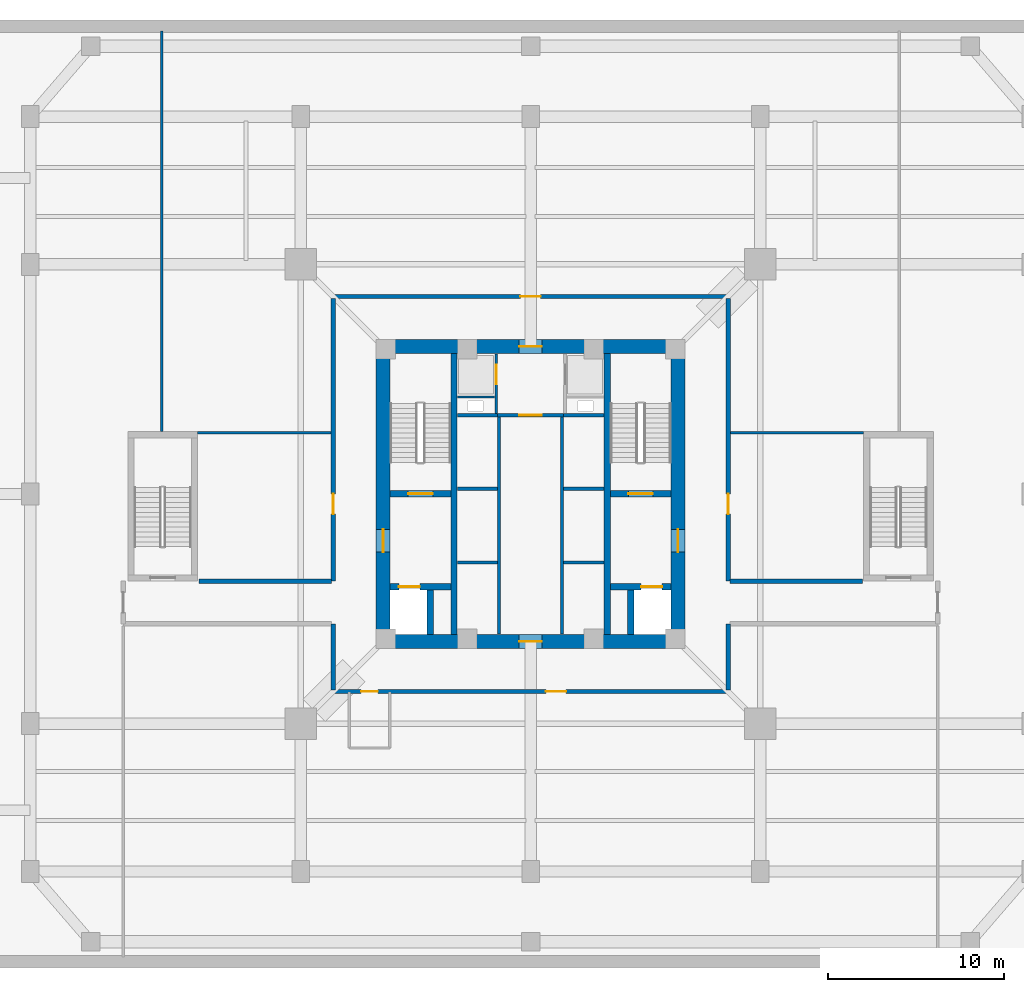
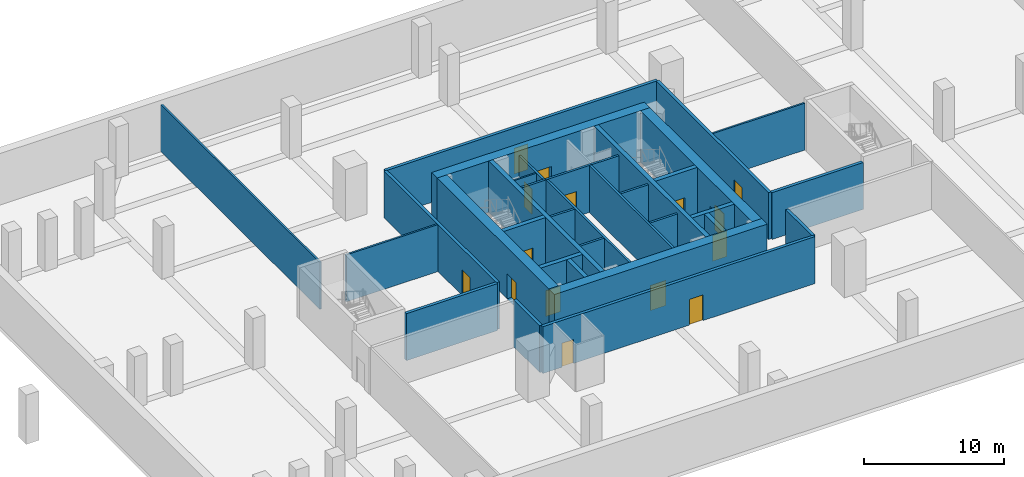
# One storey, part 3 of 9: 34 walls, 15 doors, 15 openings.
"""IFC4 building model written with IfcOpenShell, lengths in metres."""

from ifc_helpers import new_model, si_unit, direction, frame, frame_2d, origin, place, context, subcontext, project, spatial, rectangle, extrude, source, transform, mapped, material, layer, layer_set, type_object, element, fill, save


model = new_model("IFC4")

# Units and contexts
model_context = context("Model", 3, precision=1e-05, world=origin(), true_north=direction((0.0, 1.0)))
body_context = subcontext(model_context, "Body", "Model", "MODEL_VIEW")
ifc_project = project(units=[si_unit("LENGTHUNIT", "METRE"), si_unit("AREAUNIT", "SQUARE_METRE"), si_unit("VOLUMEUNIT", "CUBIC_METRE"), si_unit("PLANEANGLEUNIT", "RADIAN"), si_unit("MASSUNIT", "GRAM", prefix="KILO"), si_unit("THERMODYNAMICTEMPERATUREUNIT", "KELVIN")], contexts=[model_context])

# Site, building, storey
site_placement = place(None, origin())
site = spatial("IfcSite", under=ifc_project, at=site_placement, CompositionType="ELEMENT")
building_placement = place(site_placement, origin())
building = spatial("IfcBuilding", under=site, at=building_placement, Name="Kosmvard Interchange Tower", CompositionType="ELEMENT")
storey_placement = place(building_placement, frame((0.0, 0.0, -4.5)))
storey = spatial("IfcBuildingStorey", under=building, at=storey_placement, Name="B01", CompositionType="ELEMENT", Elevation=-4.5)

# Walls
ifc_material_1 = material(Name="Acoustic gypsum partition system")
ifc_layer_1 = layer(ifc_material_1, 0.14990234375, Name="Acoustic gypsum partition system")
ifc_layer_set_1 = layer_set([ifc_layer_1], Name="Acoustic gypsum partition system")
wall_type_1 = type_object("IfcWallType", Name="Acoustic Suite & Meeting Partition 150", PredefinedType="PARTITIONING", material=ifc_layer_set_1)
wall_1_placement = place(storey_placement, frame((-21.0, 3.56005859375, 0.0), z_axis=(0.0, 0.0, 1.0), x_axis=(0.0, 1.0, 0.0)))
element("IfcWall", 1, at=wall_1_placement, inside=storey, type_object=wall_type_1, Name="B01 Room Partition 02.1", PredefinedType="PARTITIONING", context=body_context, shape_type="SweptSolid", body=[
    extrude(rectangle(XDim=22.804931640625, YDim=0.14990234375, at=frame_2d((11.40234375, 0.0))), origin(), (0.0, 0.0, 1.0), 4.10009765625),
])
for number, where, z_axis, x_axis, name in (
    (2, (-18.9599609375, 3.5, 0.0), (0.0, 0.0, 1.0), (1.0, 0.0, 0.0), "B01 Room Partition 05.1"),
    (3, (11.3798828125, 3.5, 0.0), (0.0, 0.0, 1.0), (1.0, 0.0, 0.0), "B01 Room Partition 06.1"),
):
    element("IfcWall", number, at=place(storey_placement, frame(where, z_axis=z_axis, x_axis=x_axis)), inside=storey, type_object=wall_type_1, Name=name, PredefinedType="PARTITIONING", context=body_context, shape_type="SweptSolid", body=[
        extrude(rectangle(XDim=7.580078125, YDim=0.14990234375, at=frame_2d((3.7900390625, 0.0))), origin(), (0.0, 0.0, 1.0), 4.10009765625),
    ])

# Wall, opening, door
ifc_material_2 = material(Name="Fire-rated gypsum partition system")
ifc_layer_2 = layer(ifc_material_2, 0.159912109375, Name="Fire-rated gypsum partition system")
ifc_layer_set_2 = layer_set([ifc_layer_2], Name="Fire-rated gypsum partition system")
wall_type_2 = type_object("IfcWallType", Name="Core Compartment & Shuttle Lobby Partition 160", PredefinedType="PARTITIONING", material=ifc_layer_set_2)
wall_2_placement = place(storey_placement, frame((-1.9599609375, 4.580078125, 0.0), z_axis=(0.0, 0.0, 1.0), x_axis=(0.0, 1.0, 0.0)))
wall_2 = element("IfcWall", 4, at=wall_2_placement, inside=storey, type_object=wall_type_2, Name="B01 North Core West Wall", PredefinedType="PARTITIONING", context=body_context, shape_type="SweptSolid", body=[
    extrude(rectangle(XDim=3.39990234375, YDim=0.159912109375, at=frame_2d((1.699951171875, 0.0))), origin(), (0.0, 0.0, 1.0), 4.10009765625),
])
opening_1_placement = place(wall_2_placement, frame((1.669921875, 0.0, 0.0)))
opening_1 = element("IfcOpeningElement", 5, at=opening_1_placement, cuts=wall_2, Name="Opening LD-OBS1-B01", PredefinedType="OPENING", context=body_context, shape_type="SweptSolid", body=[
    extrude(rectangle(XDim=1.10009765625, YDim=2.199951171875, at=frame_2d((0.550048828125, 1.10009765625))), frame((0.0, 0.08984375, 0.0), z_axis=(0.0, -1.0, 0.0), x_axis=(1.0, 0.0, 0.0)), (0.0, 0.0, 1.0), 0.179931640625),
])
ifc_material_3 = material(Name="Brushed stainless steel sliding leaf", Category="steel")
door_type_1 = type_object("IfcDoorType", Name="Passenger Lift Sliding Landing Door 1100x2200 EI60", OperationType="DOUBLE_DOOR_SLIDING", PredefinedType="DOOR", material=ifc_material_3)
shared_shape_1 = source(origin(), body_context, "Body", "SweptSolid", [
    extrude(rectangle(XDim=1.10009765625, YDim=2.199951171875, at=frame_2d((0.550048828125, 1.10009765625))), frame((0.0, 0.02490234375, 0.0), z_axis=(0.0, -1.0, 0.0), x_axis=(1.0, 0.0, 0.0)), (0.0, 0.0, 1.0), 0.050048828125),
])
door_1_placement = place(opening_1_placement, frame((1.10009765625, 0.0, 0.0), z_axis=(0.0, 0.0, 1.0), x_axis=(-1.0, 0.0, 0.0)))
door_1 = element("IfcDoor", 6, at=door_1_placement, inside=storey, type_object=door_type_1, Name="Lift OBS-1 Landing Door B01", OperationType="DOUBLE_DOOR_SLIDING", OverallHeight=2.199951171875, OverallWidth=1.10009765625, PredefinedType="DOOR", context=body_context, shape_type="MappedRepresentation", body=[
    mapped(shared_shape_1, transform((0.0, 0.0, 0.0), scale=1.0)),
])
fill(opening_1, door_1)

# Walls
ifc_layer_3 = layer(ifc_material_2, 0.179931640625, Name="Fire-rated gypsum partition system")
ifc_layer_set_3 = layer_set([ifc_layer_3], Name="Fire-rated gypsum partition system")
wall_type_3 = type_object("IfcWallType", Name="Corridor & Hotel Compartment Partition 180", PredefinedType="PARTITIONING", material=ifc_layer_set_3)
for number, where, z_axis, x_axis, name in (
    (7, (-1.7900390625, -7.97998046875, 0.0), (0.0, 0.0, 1.0), (0.0, 1.0, 0.0), "B01 West Lift Bank Front Wall"),
    (8, (1.7900390625, -7.97998046875, 0.0), (0.0, 0.0, 1.0), (0.0, 1.0, 0.0), "B01 East Lift Bank Front Wall"),
):
    element("IfcWall", number, at=place(storey_placement, frame(where, z_axis=z_axis, x_axis=x_axis)), inside=storey, type_object=wall_type_3, Name=name, PredefinedType="PARTITIONING", context=body_context, shape_type="SweptSolid", body=[
        extrude(rectangle(XDim=12.3798828125, YDim=0.179931640625, at=frame_2d((6.18994140625, 0.0))), origin(), (0.0, 0.0, 1.0), 4.10009765625),
    ])

# Wall, opening, door
wall_3_placement = place(storey_placement, frame((-1.8798828125, 4.489990234375, 0.0), z_axis=(0.0, 0.0, 1.0), x_axis=(1.0, 0.0, 0.0)))
wall_3 = element("IfcWall", 9, at=wall_3_placement, inside=storey, type_object=wall_type_3, Name="B01 Lift Lobby North Partition", PredefinedType="PARTITIONING", context=body_context, shape_type="SweptSolid", body=[
    extrude(rectangle(XDim=3.759765625, YDim=0.179931640625, at=frame_2d((1.8798828125, 0.0))), origin(), (0.0, 0.0, 1.0), 4.10009765625),
])
opening_2_placement = place(wall_3_placement, frame((1.22998046875, 0.0, 0.0)))
opening_2 = element("IfcOpeningElement", 10, at=opening_2_placement, cuts=wall_3, Name="Opening B01-OD1", PredefinedType="OPENING", context=body_context, shape_type="SweptSolid", body=[
    extrude(rectangle(XDim=1.300048828125, YDim=2.199951171875, at=frame_2d((0.64990234375, 1.10009765625))), frame((0.0, 0.10009765625, 0.0), z_axis=(0.0, -1.0, 0.0), x_axis=(1.0, 0.0, 0.0)), (0.0, 0.0, 1.0), 0.199951171875),
])
ifc_material_4 = material(Name="Painted fire-rated steel leaf", Category="steel")
door_type_2 = type_object("IfcDoorType", Name="Firefighting Lobby Door 1300x2200 EI60", OperationType="NOTDEFINED", PredefinedType="DOOR", material=ifc_material_4)
shared_shape_2 = source(origin(), body_context, "Body", "SweptSolid", [
    extrude(rectangle(XDim=1.300048828125, YDim=2.199951171875, at=frame_2d((0.64990234375, 1.10009765625))), frame((0.0, 0.02490234375, 0.0), z_axis=(0.0, -1.0, 0.0), x_axis=(1.0, 0.0, 0.0)), (0.0, 0.0, 1.0), 0.050048828125),
])
door_2_placement = place(opening_2_placement, origin())
door_2 = element("IfcDoor", 11, at=door_2_placement, inside=storey, type_object=door_type_2, Name="B01 Shuttle Lobby South Door", OperationType="SINGLE_SWING_LEFT", OverallHeight=2.199951171875, OverallWidth=1.300048828125, PredefinedType="DOOR", context=body_context, shape_type="MappedRepresentation", body=[
    mapped(shared_shape_2, transform((0.0, 0.0, 0.0), scale=1.0)),
])
fill(opening_2, door_2)

# Wall, openings, doors
ifc_material_5 = material(Name="Concrete blockwork masonry", Category="masonry")
ifc_layer_4 = layer(ifc_material_5, 0.25, Name="Concrete blockwork masonry")
ifc_layer_set_4 = layer_set([ifc_layer_4], Name="Concrete blockwork masonry")
wall_type_4 = type_object("IfcWallType", Name="Exit Passage & Firefighting Lobby Wall 250", PredefinedType="PARTITIONING", material=ifc_layer_set_4)
wall_4_placement = place(storey_placement, frame((-11.25, -11.25, 0.0), z_axis=(0.0, 0.0, 1.0), x_axis=(1.0, 0.0, 0.0)))
wall_4 = element("IfcWall", 12, at=wall_4_placement, inside=storey, type_object=wall_type_4, Name="B01 Corridor Wall CS", PredefinedType="PARTITIONING", context=body_context, shape_type="SweptSolid", body=[
    extrude(rectangle(XDim=22.5, YDim=0.25, at=frame_2d((11.25, 0.0))), origin(), (0.0, 0.0, 1.0), 4.10009765625),
])
opening_3_placement = place(wall_4_placement, frame((1.60498046875, 0.0, 0.0)))
opening_3 = element("IfcOpeningElement", 13, at=opening_3_placement, cuts=wall_4, Name="Opening B01-D01", PredefinedType="OPENING", context=body_context, shape_type="SweptSolid", body=[
    extrude(rectangle(XDim=0.949951171875, YDim=2.10009765625, at=frame_2d((0.47509765625, 1.050048828125))), frame((0.0, 0.135009765625, 0.0), z_axis=(0.0, -1.0, 0.0), x_axis=(1.0, 0.0, 0.0)), (0.0, 0.0, 1.0), 0.27001953125),
])
opening_4_placement = place(wall_4_placement, frame((12.11962890625, 0.0, 0.0)))
opening_4 = element("IfcOpeningElement", 14, at=opening_4_placement, cuts=wall_4, Name="Opening B01-D02", PredefinedType="OPENING", context=body_context, shape_type="SweptSolid", body=[
    extrude(rectangle(XDim=1.14990234375, YDim=2.25, at=frame_2d((0.574951171875, 1.125))), frame((0.0, 0.135009765625, 0.0), z_axis=(0.0, -1.0, 0.0), x_axis=(1.0, 0.0, 0.0)), (0.0, 0.0, 1.0), 0.27001953125),
])
door_type_3 = type_object("IfcDoorType", Name="Plant & Riser Fire Door 1150x2250 EI60", OperationType="NOTDEFINED", PredefinedType="DOOR", material=ifc_material_4)
shared_shape_3 = source(origin(), body_context, "Body", "SweptSolid", [
    extrude(rectangle(XDim=1.14990234375, YDim=2.25, at=frame_2d((0.574951171875, 1.125))), frame((0.0, 0.02490234375, 0.0), z_axis=(0.0, -1.0, 0.0), x_axis=(1.0, 0.0, 0.0)), (0.0, 0.0, 1.0), 0.050048828125),
])
door_3_placement = place(opening_4_placement, frame((1.14990234375, 0.0, 0.0), z_axis=(0.0, 0.0, 1.0), x_axis=(-1.0, 0.0, 0.0)))
door_3 = element("IfcDoor", 15, at=door_3_placement, inside=storey, type_object=door_type_3, Name="B01 Paid Rail Mezzanine Hall Door", OperationType="SINGLE_SWING_RIGHT", OverallHeight=2.25, OverallWidth=1.14990234375, PredefinedType="DOOR", context=body_context, shape_type="MappedRepresentation", body=[
    mapped(shared_shape_3, transform((0.0, 0.0, 0.0), scale=1.0)),
])
fill(opening_4, door_3)
ifc_material_6 = material(Name="Laminated moisture-resistant timber", Category="wood")
door_type_4 = type_object("IfcDoorType", Name="Accessible Washroom Door 950x2100", OperationType="NOTDEFINED", PredefinedType="DOOR", material=ifc_material_6)
shared_shape_4 = source(origin(), body_context, "Body", "SweptSolid", [
    extrude(rectangle(XDim=0.949951171875, YDim=2.10009765625, at=frame_2d((0.47509765625, 1.050048828125))), frame((0.0, 0.02490234375, 0.0), z_axis=(0.0, -1.0, 0.0), x_axis=(1.0, 0.0, 0.0)), (0.0, 0.0, 1.0), 0.050048828125),
])
door_4_placement = place(opening_3_placement, frame((0.949951171875, 0.0, 0.0), z_axis=(0.0, 0.0, 1.0), x_axis=(-1.0, 0.0, 0.0)))
door_4 = element("IfcDoor", 16, at=door_4_placement, inside=storey, type_object=door_type_4, Name="B01 Accessible Staff Toilet Door", OperationType="SINGLE_SWING_LEFT", OverallHeight=2.10009765625, OverallWidth=0.949951171875, PredefinedType="DOOR", context=body_context, shape_type="MappedRepresentation", body=[
    mapped(shared_shape_4, transform((0.0, 0.0, 0.0), scale=1.0)),
])
fill(opening_3, door_4)

# Wall, opening, door
wall_5_placement = place(storey_placement, frame((-11.25, 11.25, 0.0), z_axis=(0.0, 0.0, 1.0), x_axis=(1.0, 0.0, 0.0)))
wall_5 = element("IfcWall", 17, at=wall_5_placement, inside=storey, type_object=wall_type_4, Name="B01 Corridor Wall CN", PredefinedType="PARTITIONING", context=body_context, shape_type="SweptSolid", body=[
    extrude(rectangle(XDim=22.5, YDim=0.25, at=frame_2d((11.25, 0.0))), origin(), (0.0, 0.0, 1.0), 4.10009765625),
])
opening_5_placement = place(wall_5_placement, frame((10.675048828125, 0.0, 0.0)))
opening_5 = element("IfcOpeningElement", 18, at=opening_5_placement, cuts=wall_5, Name="Opening B01-D03", PredefinedType="OPENING", context=body_context, shape_type="SweptSolid", body=[
    extrude(rectangle(XDim=1.14990234375, YDim=2.25, at=frame_2d((0.574951171875, 1.125))), frame((0.0, 0.135009765625, 0.0), z_axis=(0.0, -1.0, 0.0), x_axis=(1.0, 0.0, 0.0)), (0.0, 0.0, 1.0), 0.27001953125),
])
door_5_placement = place(opening_5_placement, origin())
door_5 = element("IfcDoor", 19, at=door_5_placement, inside=storey, type_object=door_type_3, Name="B01 Standby Power Hall Door", OperationType="SINGLE_SWING_LEFT", OverallHeight=2.25, OverallWidth=1.14990234375, PredefinedType="DOOR", context=body_context, shape_type="MappedRepresentation", body=[
    mapped(shared_shape_3, transform((0.0, 0.0, 0.0), scale=1.0)),
])
fill(opening_5, door_5)

# Wall
wall_6_placement = place(storey_placement, frame((-11.25, -11.14990234375, 0.0), z_axis=(0.0, 0.0, 1.0), x_axis=(0.0, 1.0, 0.0)))
element("IfcWall", 20, at=wall_6_placement, inside=storey, type_object=wall_type_4, Name="B01 Corridor Wall CWS", PredefinedType="PARTITIONING", context=body_context, shape_type="SweptSolid", body=[
    extrude(rectangle(XDim=3.75, YDim=0.25, at=frame_2d((1.875, 0.0))), origin(), (0.0, 0.0, 1.0), 4.10009765625),
])

# Wall, opening, door
wall_7_placement = place(storey_placement, frame((-11.25, -4.9599609375, 0.0), z_axis=(0.0, 0.0, 1.0), x_axis=(0.0, 1.0, 0.0)))
wall_7 = element("IfcWall", 21, at=wall_7_placement, inside=storey, type_object=wall_type_4, Name="B01 Corridor Wall CWN", PredefinedType="PARTITIONING", context=body_context, shape_type="SweptSolid", body=[
    extrude(rectangle(XDim=16.10986328125, YDim=0.25, at=frame_2d((8.054931640625, 0.0))), origin(), (0.0, 0.0, 1.0), 4.10009765625),
])
opening_6_placement = place(wall_7_placement, frame((3.819580078125, 0.0, 0.0)))
opening_6 = element("IfcOpeningElement", 22, at=opening_6_placement, cuts=wall_7, Name="Opening B01-D06", PredefinedType="OPENING", context=body_context, shape_type="SweptSolid", body=[
    extrude(rectangle(XDim=1.14990234375, YDim=2.25, at=frame_2d((0.574951171875, 1.125))), frame((0.0, 0.135009765625, 0.0), z_axis=(0.0, -1.0, 0.0), x_axis=(1.0, 0.0, 0.0)), (0.0, 0.0, 1.0), 0.27001953125),
])
door_6_placement = place(opening_6_placement, origin())
door_6 = element("IfcDoor", 23, at=door_6_placement, inside=storey, type_object=door_type_3, Name="B01 Primary Air Handling Plant Room Door", OperationType="SINGLE_SWING_RIGHT", OverallHeight=2.25, OverallWidth=1.14990234375, PredefinedType="DOOR", context=body_context, shape_type="MappedRepresentation", body=[
    mapped(shared_shape_3, transform((0.0, 0.0, 0.0), scale=1.0)),
])
fill(opening_6, door_6)

# Wall
wall_8_placement = place(storey_placement, frame((11.25, -11.14990234375, 0.0), z_axis=(0.0, 0.0, 1.0), x_axis=(0.0, 1.0, 0.0)))
element("IfcWall", 24, at=wall_8_placement, inside=storey, type_object=wall_type_4, Name="B01 Corridor Wall CES", PredefinedType="PARTITIONING", context=body_context, shape_type="SweptSolid", body=[
    extrude(rectangle(XDim=3.75, YDim=0.25, at=frame_2d((1.875, 0.0))), origin(), (0.0, 0.0, 1.0), 4.10009765625),
])

# Wall, opening, door
wall_9_placement = place(storey_placement, frame((11.25, -4.9599609375, 0.0), z_axis=(0.0, 0.0, 1.0), x_axis=(0.0, 1.0, 0.0)))
wall_9 = element("IfcWall", 25, at=wall_9_placement, inside=storey, type_object=wall_type_4, Name="B01 Corridor Wall CEN", PredefinedType="PARTITIONING", context=body_context, shape_type="SweptSolid", body=[
    extrude(rectangle(XDim=16.10986328125, YDim=0.25, at=frame_2d((8.054931640625, 0.0))), origin(), (0.0, 0.0, 1.0), 4.10009765625),
])
opening_7_placement = place(wall_9_placement, frame((3.819580078125, 0.0, 0.0)))
opening_7 = element("IfcOpeningElement", 26, at=opening_7_placement, cuts=wall_9, Name="Opening B01-D07", PredefinedType="OPENING", context=body_context, shape_type="SweptSolid", body=[
    extrude(rectangle(XDim=1.14990234375, YDim=2.25, at=frame_2d((0.574951171875, 1.125))), frame((0.0, 0.135009765625, 0.0), z_axis=(0.0, -1.0, 0.0), x_axis=(1.0, 0.0, 0.0)), (0.0, 0.0, 1.0), 0.27001953125),
])
door_7_placement = place(opening_7_placement, frame((1.14990234375, 0.0, 0.0), z_axis=(0.0, 0.0, 1.0), x_axis=(-1.0, 0.0, 0.0)))
door_7 = element("IfcDoor", 27, at=door_7_placement, inside=storey, type_object=door_type_3, Name="B01 Transit Signalling Control Room Door", OperationType="SINGLE_SWING_LEFT", OverallHeight=2.25, OverallWidth=1.14990234375, PredefinedType="DOOR", context=body_context, shape_type="MappedRepresentation", body=[
    mapped(shared_shape_3, transform((0.0, 0.0, 0.0), scale=1.0)),
])
fill(opening_7, door_7)

# Walls
for number, where, z_axis, x_axis, name in (
    (28, (-18.89990234375, -4.9599609375, 0.0), (0.0, 0.0, 1.0), (1.0, 0.0, 0.0), "B01 Corridor Wall SWN"),
    (29, (11.35009765625, -4.9599609375, 0.0), (0.0, 0.0, 1.0), (1.0, 0.0, 0.0), "B01 Corridor Wall SEN"),
):
    element("IfcWall", number, at=place(storey_placement, frame(where, z_axis=z_axis, x_axis=x_axis)), inside=storey, type_object=wall_type_4, Name=name, PredefinedType="PARTITIONING", context=body_context, shape_type="SweptSolid", body=[
        extrude(rectangle(XDim=7.5498046875, YDim=0.25, at=frame_2d((3.77490234375, 0.0))), origin(), (0.0, 0.0, 1.0), 4.10009765625),
    ])

# Wall, opening, door
ifc_material_7 = material(Name="Concrete C80/95", Category="concrete")
ifc_layer_5 = layer(ifc_material_7, 0.800048828125, Name="Concrete C80/95")
ifc_layer_set_5 = layer_set([ifc_layer_5], Name="Concrete C80/95")
wall_type_5 = type_object("IfcWallType", Name="Lower Core Shear Wall 800 C80/95", PredefinedType="SHEAR", material=ifc_layer_set_5)
wall_10_placement = place(storey_placement, frame((-8.800048828125, -8.39990234375, 0.0), z_axis=(0.0, 0.0, 1.0), x_axis=(1.0, 0.0, 0.0)))
wall_10 = element("IfcWall", 30, at=wall_10_placement, inside=storey, type_object=wall_type_5, Name="B01 Core Shear Wall CW-S", PredefinedType="SHEAR", context=body_context, shape_type="SweptSolid", body=[
    extrude(rectangle(XDim=17.60009765625, YDim=0.800048828125, at=frame_2d((8.800048828125, 0.0))), origin(), (0.0, 0.0, 1.0), 4.5),
])
opening_8_placement = place(wall_10_placement, frame((8.14990234375, 0.0, 0.0)))
opening_8 = element("IfcOpeningElement", 31, at=opening_8_placement, cuts=wall_10, Name="Opening B01-LD0", PredefinedType="OPENING", context=body_context, shape_type="SweptSolid", body=[
    extrude(rectangle(XDim=1.300048828125, YDim=2.199951171875, at=frame_2d((0.64990234375, 1.10009765625))), frame((0.0, 0.41015625, 0.0), z_axis=(0.0, -1.0, 0.0), x_axis=(1.0, 0.0, 0.0)), (0.0, 0.0, 1.0), 0.820068359375),
])
door_8_placement = place(opening_8_placement, frame((1.300048828125, 0.0, 0.0), z_axis=(0.0, 0.0, 1.0), x_axis=(-1.0, 0.0, 0.0)))
door_8 = element("IfcDoor", 32, at=door_8_placement, inside=storey, type_object=door_type_2, Name="B01 Passenger Lift Lobby South Door", OperationType="SINGLE_SWING_RIGHT", OverallHeight=2.199951171875, OverallWidth=1.300048828125, PredefinedType="DOOR", context=body_context, shape_type="MappedRepresentation", body=[
    mapped(shared_shape_2, transform((0.0, 0.0, 0.0), scale=1.0)),
])
fill(opening_8, door_8)

wall_11_placement = place(storey_placement, frame((-8.800048828125, 8.39990234375, 0.0), z_axis=(0.0, 0.0, 1.0), x_axis=(1.0, 0.0, 0.0)))
wall_11 = element("IfcWall", 33, at=wall_11_placement, inside=storey, type_object=wall_type_5, Name="B01 Core Shear Wall CW-N", PredefinedType="SHEAR", context=body_context, shape_type="SweptSolid", body=[
    extrude(rectangle(XDim=17.60009765625, YDim=0.800048828125, at=frame_2d((8.800048828125, 0.0))), origin(), (0.0, 0.0, 1.0), 4.5),
])
opening_9_placement = place(wall_11_placement, frame((8.14990234375, 0.0, 0.0)))
opening_9 = element("IfcOpeningElement", 34, at=opening_9_placement, cuts=wall_11, Name="Opening B01-OD2", PredefinedType="OPENING", context=body_context, shape_type="SweptSolid", body=[
    extrude(rectangle(XDim=1.300048828125, YDim=2.199951171875, at=frame_2d((0.64990234375, 1.10009765625))), frame((0.0, 0.41015625, 0.0), z_axis=(0.0, -1.0, 0.0), x_axis=(1.0, 0.0, 0.0)), (0.0, 0.0, 1.0), 0.820068359375),
])
door_9_placement = place(opening_9_placement, origin())
door_9 = element("IfcDoor", 35, at=door_9_placement, inside=storey, type_object=door_type_2, Name="B01 Shuttle Lobby North Door", OperationType="SINGLE_SWING_RIGHT", OverallHeight=2.199951171875, OverallWidth=1.300048828125, PredefinedType="DOOR", context=body_context, shape_type="MappedRepresentation", body=[
    mapped(shared_shape_2, transform((0.0, 0.0, 0.0), scale=1.0)),
])
fill(opening_9, door_9)

wall_12_placement = place(storey_placement, frame((-8.39990234375, -8.0, 0.0), z_axis=(0.0, 0.0, 1.0), x_axis=(0.0, 1.0, 0.0)))
wall_12 = element("IfcWall", 36, at=wall_12_placement, inside=storey, type_object=wall_type_5, Name="B01 Core Shear Wall CW-W", PredefinedType="SHEAR", context=body_context, shape_type="SweptSolid", body=[
    extrude(rectangle(XDim=16.0, YDim=0.800048828125, at=frame_2d((8.0, 0.0))), origin(), (0.0, 0.0, 1.0), 4.5),
])
opening_10_placement = place(wall_12_placement, frame((4.68994140625, 0.0, 0.0)))
opening_10 = element("IfcOpeningElement", 37, at=opening_10_placement, cuts=wall_12, Name="Opening B01-FD1", PredefinedType="OPENING", context=body_context, shape_type="SweptSolid", body=[
    extrude(rectangle(XDim=1.300048828125, YDim=2.199951171875, at=frame_2d((0.64990234375, 1.10009765625))), frame((0.0, 0.41015625, 0.0), z_axis=(0.0, -1.0, 0.0), x_axis=(1.0, 0.0, 0.0)), (0.0, 0.0, 1.0), 0.820068359375),
])
door_10_placement = place(opening_10_placement, frame((1.300048828125, 0.0, 0.0), z_axis=(0.0, 0.0, 1.0), x_axis=(-1.0, 0.0, 0.0)))
door_10 = element("IfcDoor", 38, at=door_10_placement, inside=storey, type_object=door_type_2, Name="B01 Firefighting Lobby West Door", OperationType="SINGLE_SWING_LEFT", OverallHeight=2.199951171875, OverallWidth=1.300048828125, PredefinedType="DOOR", context=body_context, shape_type="MappedRepresentation", body=[
    mapped(shared_shape_2, transform((0.0, 0.0, 0.0), scale=1.0)),
])
fill(opening_10, door_10)

wall_13_placement = place(storey_placement, frame((8.39990234375, -8.0, 0.0), z_axis=(0.0, 0.0, 1.0), x_axis=(0.0, 1.0, 0.0)))
wall_13 = element("IfcWall", 39, at=wall_13_placement, inside=storey, type_object=wall_type_5, Name="B01 Core Shear Wall CW-E", PredefinedType="SHEAR", context=body_context, shape_type="SweptSolid", body=[
    extrude(rectangle(XDim=16.0, YDim=0.800048828125, at=frame_2d((8.0, 0.0))), origin(), (0.0, 0.0, 1.0), 4.5),
])
opening_11_placement = place(wall_13_placement, frame((4.68994140625, 0.0, 0.0)))
opening_11 = element("IfcOpeningElement", 40, at=opening_11_placement, cuts=wall_13, Name="Opening B01-FD2", PredefinedType="OPENING", context=body_context, shape_type="SweptSolid", body=[
    extrude(rectangle(XDim=1.300048828125, YDim=2.199951171875, at=frame_2d((0.64990234375, 1.10009765625))), frame((0.0, 0.41015625, 0.0), z_axis=(0.0, -1.0, 0.0), x_axis=(1.0, 0.0, 0.0)), (0.0, 0.0, 1.0), 0.820068359375),
])
door_11_placement = place(opening_11_placement, origin())
door_11 = element("IfcDoor", 41, at=door_11_placement, inside=storey, type_object=door_type_2, Name="B01 Firefighting Lobby East Door", OperationType="SINGLE_SWING_RIGHT", OverallHeight=2.199951171875, OverallWidth=1.300048828125, PredefinedType="DOOR", context=body_context, shape_type="MappedRepresentation", body=[
    mapped(shared_shape_2, transform((0.0, 0.0, 0.0), scale=1.0)),
])
fill(opening_11, door_11)

# Walls
ifc_layer_6 = layer(ifc_material_5, 0.179931640625, Name="Concrete blockwork masonry")
ifc_layer_set_6 = layer_set([ifc_layer_6], Name="Concrete blockwork masonry")
wall_type_6 = type_object("IfcWallType", Name="Riser & Lift Bank Divider Wall 180", PredefinedType="PARTITIONING", material=ifc_layer_set_6)
for number, where, z_axis, x_axis, name in (
    (42, (-4.169921875, -3.89990234375, 0.0), (0.0, 0.0, 1.0), (1.0, 0.0, 0.0), "B01 West Bank Divider BD1"),
    (43, (1.889892578125, -3.89990234375, 0.0), (0.0, 0.0, 1.0), (1.0, 0.0, 0.0), "B01 East Bank Divider BD1"),
    (44, (-4.169921875, 0.300048828125, 0.0), (0.0, 0.0, 1.0), (1.0, 0.0, 0.0), "B01 West Bank Divider BD2"),
    (45, (1.889892578125, 0.300048828125, 0.0), (0.0, 0.0, 1.0), (1.0, 0.0, 0.0), "B01 East Bank Divider BD2"),
    (46, (-4.169921875, 4.489990234375, 0.0), (0.0, 0.0, 1.0), (1.0, 0.0, 0.0), "B01 West Bank Divider BD3"),
    (47, (1.889892578125, 4.489990234375, 0.0), (0.0, 0.0, 1.0), (1.0, 0.0, 0.0), "B01 East Bank Divider BD3"),
):
    element("IfcWall", number, at=place(storey_placement, frame(where, z_axis=z_axis, x_axis=x_axis)), inside=storey, type_object=wall_type_6, Name=name, PredefinedType="PARTITIONING", context=body_context, shape_type="SweptSolid", body=[
        extrude(rectangle(XDim=2.280029296875, YDim=0.179931640625, at=frame_2d((1.14013671875, 0.0))), origin(), (0.0, 0.0, 1.0), 4.10009765625),
    ])
ifc_material_8 = material(Name="Fire-rated gypsum shaftwall system")
ifc_layer_7 = layer(ifc_material_8, 0.1201171875, Name="Fire-rated gypsum shaftwall system")
ifc_layer_set_7 = layer_set([ifc_layer_7], Name="Fire-rated gypsum shaftwall system")
wall_type_7 = type_object("IfcWallType", Name="Shaft & Riser Fire Partition 120 EI60", PredefinedType="PARTITIONING", material=ifc_layer_set_7)
wall_14_placement = place(storey_placement, frame((-4.159912109375, 5.52001953125, 0.0), z_axis=(0.0, 0.0, 1.0), x_axis=(1.0, 0.0, 0.0)))
element("IfcWall", 48, at=wall_14_placement, inside=storey, type_object=wall_type_7, Name="B01 Riser Shaft Divider W", PredefinedType="PARTITIONING", context=body_context, shape_type="SweptSolid", body=[
    extrude(rectangle(XDim=2.099853515625, YDim=0.1201171875, at=frame_2d((1.0498046875, 0.0))), origin(), (0.0, 0.0, 1.0), 4.10009765625),
])
ifc_material_9 = material(Name="Concrete C60/75", Category="concrete")
ifc_layer_8 = layer(ifc_material_9, 0.360107421875, Name="Concrete C60/75")
ifc_layer_set_8 = layer_set([ifc_layer_8], Name="Concrete C60/75")
wall_type_8 = type_object("IfcWallType", Name="Stair & Lift Shaft Shear Wall 360 C60/75", PredefinedType="SHEAR", material=ifc_layer_set_8)
for number, where, z_axis, x_axis, name in (
    (49, (-4.360107421875, -8.0, 0.0), (0.0, 0.0, 1.0), (0.0, 1.0, 0.0), "B01 Shaft Shear Wall SW-W"),
    (50, (4.360107421875, -8.0, 0.0), (0.0, 0.0, 1.0), (0.0, 1.0, 0.0), "B01 Shaft Shear Wall SW-E"),
):
    element("IfcWall", number, at=place(storey_placement, frame(where, z_axis=z_axis, x_axis=x_axis)), inside=storey, type_object=wall_type_8, Name=name, PredefinedType="SHEAR", context=body_context, shape_type="SweptSolid", body=[
        extrude(rectangle(XDim=16.0, YDim=0.360107421875, at=frame_2d((8.0, 0.0))), origin(), (0.0, 0.0, 1.0), 4.5),
    ])

# Wall, opening, door
wall_15_placement = place(storey_placement, frame((-8.0, 0.02001953125, 0.0), z_axis=(0.0, 0.0, 1.0), x_axis=(1.0, 0.0, 0.0)))
wall_15 = element("IfcWall", 51, at=wall_15_placement, inside=storey, type_object=wall_type_8, Name="B01 Shaft Shear Wall SW-ST1", PredefinedType="SHEAR", context=body_context, shape_type="SweptSolid", body=[
    extrude(rectangle(XDim=3.4599609375, YDim=0.360107421875, at=frame_2d((1.72998046875, 0.0))), origin(), (0.0, 0.0, 1.0), 4.5),
])
opening_12_placement = place(wall_15_placement, frame((1.030029296875, 0.0, 0.0)))
opening_12 = element("IfcOpeningElement", 52, at=opening_12_placement, cuts=wall_15, Name="Opening B01-SD1", PredefinedType="OPENING", context=body_context, shape_type="SweptSolid", body=[
    extrude(rectangle(XDim=1.39990234375, YDim=2.199951171875, at=frame_2d((0.699951171875, 1.10009765625))), frame((0.0, 0.18994140625, 0.0), z_axis=(0.0, -1.0, 0.0), x_axis=(1.0, 0.0, 0.0)), (0.0, 0.0, 1.0), 0.380126953125),
])
door_type_5 = type_object("IfcDoorType", Name="Protected Stair Door 1400x2200 FD60S", OperationType="NOTDEFINED", PredefinedType="DOOR", material=ifc_material_4)
shared_shape_5 = source(origin(), body_context, "Body", "SweptSolid", [
    extrude(rectangle(XDim=1.39990234375, YDim=2.199951171875, at=frame_2d((0.699951171875, 1.10009765625))), frame((0.0, 0.02490234375, 0.0), z_axis=(0.0, -1.0, 0.0), x_axis=(1.0, 0.0, 0.0)), (0.0, 0.0, 1.0), 0.050048828125),
])
door_12_placement = place(opening_12_placement, origin())
door_12 = element("IfcDoor", 53, at=door_12_placement, inside=storey, type_object=door_type_5, Name="B01 Stair ST-1 Enclosure Door", OperationType="SINGLE_SWING_LEFT", OverallHeight=2.199951171875, OverallWidth=1.39990234375, PredefinedType="DOOR", context=body_context, shape_type="MappedRepresentation", body=[
    mapped(shared_shape_5, transform((0.0, 0.0, 0.0), scale=1.0)),
])
fill(opening_12, door_12)

wall_16_placement = place(storey_placement, frame((4.5400390625, 0.02001953125, 0.0), z_axis=(0.0, 0.0, 1.0), x_axis=(1.0, 0.0, 0.0)))
wall_16 = element("IfcWall", 54, at=wall_16_placement, inside=storey, type_object=wall_type_8, Name="B01 Shaft Shear Wall SW-ST2", PredefinedType="SHEAR", context=body_context, shape_type="SweptSolid", body=[
    extrude(rectangle(XDim=3.4599609375, YDim=0.360107421875, at=frame_2d((1.72998046875, 0.0))), origin(), (0.0, 0.0, 1.0), 4.5),
])
opening_13_placement = place(wall_16_placement, frame((1.030029296875, 0.0, 0.0)))
opening_13 = element("IfcOpeningElement", 55, at=opening_13_placement, cuts=wall_16, Name="Opening B01-SD2", PredefinedType="OPENING", context=body_context, shape_type="SweptSolid", body=[
    extrude(rectangle(XDim=1.39990234375, YDim=2.199951171875, at=frame_2d((0.699951171875, 1.10009765625))), frame((0.0, 0.18994140625, 0.0), z_axis=(0.0, -1.0, 0.0), x_axis=(1.0, 0.0, 0.0)), (0.0, 0.0, 1.0), 0.380126953125),
])
door_13_placement = place(opening_13_placement, origin())
door_13 = element("IfcDoor", 56, at=door_13_placement, inside=storey, type_object=door_type_5, Name="B01 Stair ST-2 Enclosure Door", OperationType="SINGLE_SWING_RIGHT", OverallHeight=2.199951171875, OverallWidth=1.39990234375, PredefinedType="DOOR", context=body_context, shape_type="MappedRepresentation", body=[
    mapped(shared_shape_5, transform((0.0, 0.0, 0.0), scale=1.0)),
])
fill(opening_13, door_13)

wall_17_placement = place(storey_placement, frame((-8.0, -5.280029296875, 0.0), z_axis=(0.0, 0.0, 1.0), x_axis=(1.0, 0.0, 0.0)))
wall_17 = element("IfcWall", 57, at=wall_17_placement, inside=storey, type_object=wall_type_8, Name="B01 Shaft Shear Wall SW-FF1", PredefinedType="SHEAR", context=body_context, shape_type="SweptSolid", body=[
    extrude(rectangle(XDim=3.4599609375, YDim=0.360107421875, at=frame_2d((1.72998046875, 0.0))), origin(), (0.0, 0.0, 1.0), 4.5),
])
opening_14_placement = place(wall_17_placement, frame((0.5, 0.0, 0.0)))
opening_14 = element("IfcOpeningElement", 58, at=opening_14_placement, cuts=wall_17, Name="Opening LD-FF-1-B01", PredefinedType="OPENING", context=body_context, shape_type="SweptSolid", body=[
    extrude(rectangle(XDim=1.199951171875, YDim=2.25, at=frame_2d((0.60009765625, 1.125))), frame((0.0, 0.18994140625, 0.0), z_axis=(0.0, -1.0, 0.0), x_axis=(1.0, 0.0, 0.0)), (0.0, 0.0, 1.0), 0.380126953125),
])
door_type_6 = type_object("IfcDoorType", Name="Firefighting Lift Sliding Landing Door 1200x2250 EI120", OperationType="DOUBLE_DOOR_SLIDING", PredefinedType="DOOR", material=ifc_material_3)
shared_shape_6 = source(origin(), body_context, "Body", "SweptSolid", [
    extrude(rectangle(XDim=1.199951171875, YDim=2.25, at=frame_2d((0.60009765625, 1.125))), frame((0.0, 0.02490234375, 0.0), z_axis=(0.0, -1.0, 0.0), x_axis=(1.0, 0.0, 0.0)), (0.0, 0.0, 1.0), 0.050048828125),
])
door_14_placement = place(opening_14_placement, origin())
door_14 = element("IfcDoor", 59, at=door_14_placement, inside=storey, type_object=door_type_6, Name="Lift FF-1 Landing Door B01", OperationType="DOUBLE_DOOR_SLIDING", OverallHeight=2.25, OverallWidth=1.199951171875, PredefinedType="DOOR", context=body_context, shape_type="MappedRepresentation", body=[
    mapped(shared_shape_6, transform((0.0, 0.0, 0.0), scale=1.0)),
])
fill(opening_14, door_14)

wall_18_placement = place(storey_placement, frame((4.5400390625, -5.280029296875, 0.0), z_axis=(0.0, 0.0, 1.0), x_axis=(1.0, 0.0, 0.0)))
wall_18 = element("IfcWall", 60, at=wall_18_placement, inside=storey, type_object=wall_type_8, Name="B01 Shaft Shear Wall SW-FF2", PredefinedType="SHEAR", context=body_context, shape_type="SweptSolid", body=[
    extrude(rectangle(XDim=3.4599609375, YDim=0.360107421875, at=frame_2d((1.72998046875, 0.0))), origin(), (0.0, 0.0, 1.0), 4.5),
])
opening_15_placement = place(wall_18_placement, frame((1.760009765625, 0.0, 0.0)))
opening_15 = element("IfcOpeningElement", 61, at=opening_15_placement, cuts=wall_18, Name="Opening LD-FF-2-B01", PredefinedType="OPENING", context=body_context, shape_type="SweptSolid", body=[
    extrude(rectangle(XDim=1.199951171875, YDim=2.25, at=frame_2d((0.60009765625, 1.125))), frame((0.0, 0.18994140625, 0.0), z_axis=(0.0, -1.0, 0.0), x_axis=(1.0, 0.0, 0.0)), (0.0, 0.0, 1.0), 0.380126953125),
])
door_15_placement = place(opening_15_placement, origin())
door_15 = element("IfcDoor", 62, at=door_15_placement, inside=storey, type_object=door_type_6, Name="Lift FF-2 Landing Door B01", OperationType="DOUBLE_DOOR_SLIDING", OverallHeight=2.25, OverallWidth=1.199951171875, PredefinedType="DOOR", context=body_context, shape_type="MappedRepresentation", body=[
    mapped(shared_shape_6, transform((0.0, 0.0, 0.0), scale=1.0)),
])
fill(opening_15, door_15)

# Walls
for number, where, z_axis, x_axis, name in (
    (63, (-5.7099609375, -8.0, 0.0), (0.0, 0.0, 1.0), (0.0, 1.0, 0.0), "B01 Shaft Shear Wall SW-SM1"),
    (64, (5.7099609375, -8.0, 0.0), (0.0, 0.0, 1.0), (0.0, 1.0, 0.0), "B01 Shaft Shear Wall SW-SM2"),
):
    element("IfcWall", number, at=place(storey_placement, frame(where, z_axis=z_axis, x_axis=x_axis)), inside=storey, type_object=wall_type_8, Name=name, PredefinedType="SHEAR", context=body_context, shape_type="SweptSolid", body=[
        extrude(rectangle(XDim=2.5400390625, YDim=0.360107421875, at=frame_2d((1.27001953125, 0.0))), origin(), (0.0, 0.0, 1.0), 4.5),
    ])

save(model, "model.ifc")
